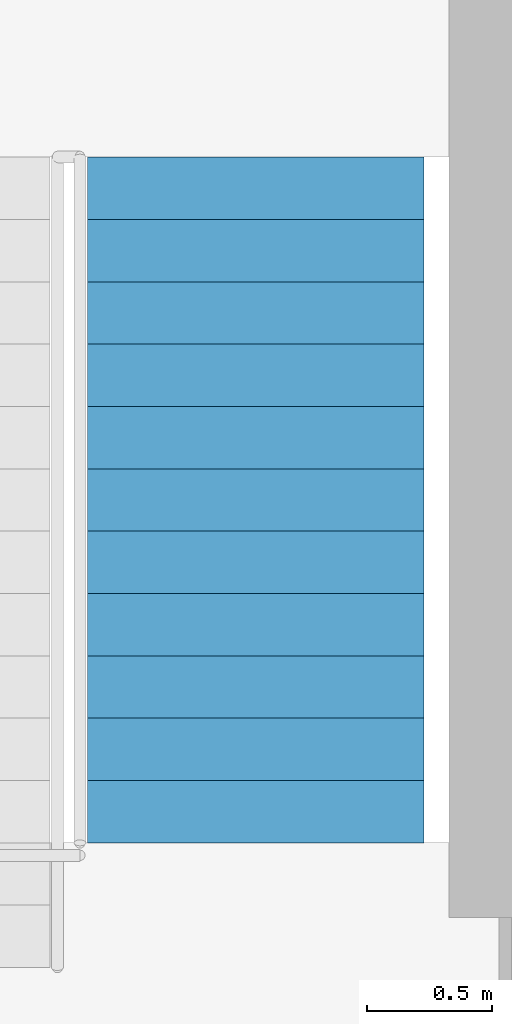
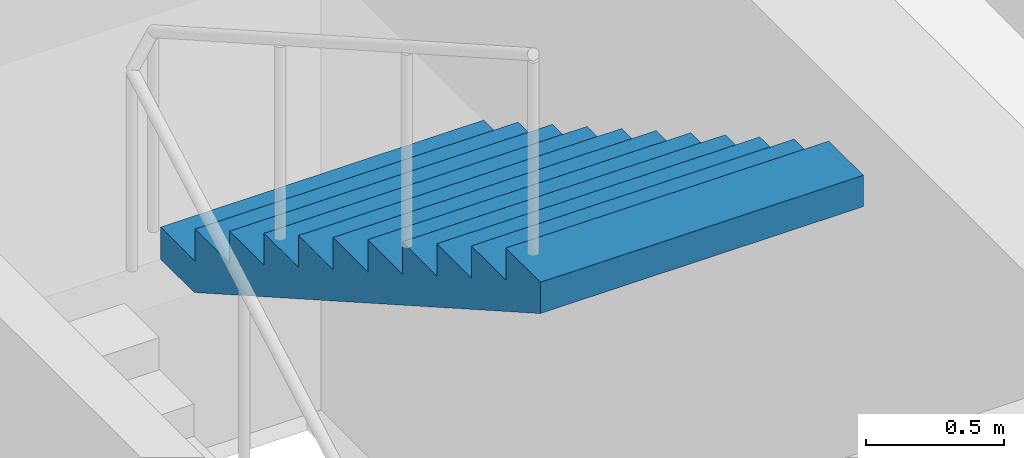
# One storey, part 10 of 11: 1 stair flight, 1 element without a shape of its own.
"""IFC4 building model written with IfcOpenShell, lengths in metres."""

from ifc_helpers import new_model, si_unit, direction, frame, origin, place, context, subcontext, project, spatial, polyline, outline, extrude, material, type_object, element, aggregate, save


model = new_model("IFC4")

# Units and contexts
model_context = context("Model", 3, precision=1e-05, world=origin(), true_north=direction((0.0, 1.0)))
body_context = subcontext(model_context, "Body", "Model", "MODEL_VIEW")
ifc_project = project(units=[si_unit("LENGTHUNIT", "METRE"), si_unit("AREAUNIT", "SQUARE_METRE"), si_unit("VOLUMEUNIT", "CUBIC_METRE"), si_unit("PLANEANGLEUNIT", "RADIAN"), si_unit("MASSUNIT", "GRAM", prefix="KILO")], contexts=[model_context])

# Site, building, storey
site_placement = place(None, origin())
site = spatial("IfcSite", under=ifc_project, at=site_placement, CompositionType="ELEMENT")
building_placement = place(site_placement, origin())
building = spatial("IfcBuilding", under=site, at=building_placement, Name="Quoin Convention Tower", CompositionType="ELEMENT")
storey_placement = place(building_placement, frame((0.0, 0.0, 101.10009765625)))
storey = spatial("IfcBuildingStorey", under=building, at=storey_placement, Name="L26", CompositionType="ELEMENT", Elevation=101.10009765625)

# Stair, stair flight
ifc_material = material(Name="Concrete C40", Category="concrete")
stair_type = type_object("IfcStairType", Name="Exit stair two-flight 1350", PredefinedType="HALF_TURN_STAIR", material=ifc_material)
stair_placement = place(storey_placement, origin())
stair = element("IfcStair", 1, at=stair_placement, inside=storey, type_object=stair_type, Name="SD2 L26", PredefinedType="HALF_TURN_STAIR")
stair_flight_type = type_object("IfcStairFlightType", Name="Stair flight 1350", PredefinedType="STRAIGHT", material=ifc_material)
stair_flight_placement = place(storey_placement, frame((66.27490234375, 60.550048828125, 1.9921875), z_axis=(0.0, 0.0, 1.0), x_axis=(0.0, -1.0, 0.0)))
stair_flight = element("IfcStairFlight", 2, at=stair_flight_placement, type_object=stair_flight_type, Name="ST2 flight 2", NumberOfRisers=12, NumberOfTreads=11, PredefinedType="STRAIGHT", RiserHeight=0.142307692, TreadLength=0.25, context=body_context, shape_type="SweptSolid", body=[
    extrude(outline(polyline([(0.0, 0.0), (0.0, 0.142333984375), (0.25, 0.142333984375), (0.25, 0.28466796875), (0.5, 0.28466796875), (0.5, 0.427001953125), (0.75, 0.427001953125), (0.75, 0.5693359375), (1.0, 0.5693359375), (1.0, 0.71142578125), (1.25, 0.71142578125), (1.25, 0.853759765625), (1.5, 0.853759765625), (1.5, 0.99609375), (1.75, 0.99609375), (1.75, 1.138427734375), (2.0, 1.138427734375), (2.0, 1.28076171875), (2.25, 1.28076171875), (2.25, 1.423095703125), (2.5, 1.423095703125), (2.5, 1.5654296875), (2.75, 1.5654296875), (2.75, 1.707763671875), (2.75, 1.42724609375), (0.242919921875, 0.0), (0.0, 0.0)])), frame((0.0, 0.675048828125, 0.0), z_axis=(0.0, -1.0, 0.0), x_axis=(1.0, 0.0, 0.0)), (0.0, 0.0, 1.0), 1.35009765625),
])
aggregate(stair, [stair_flight])

save(model, "model.ifc")
